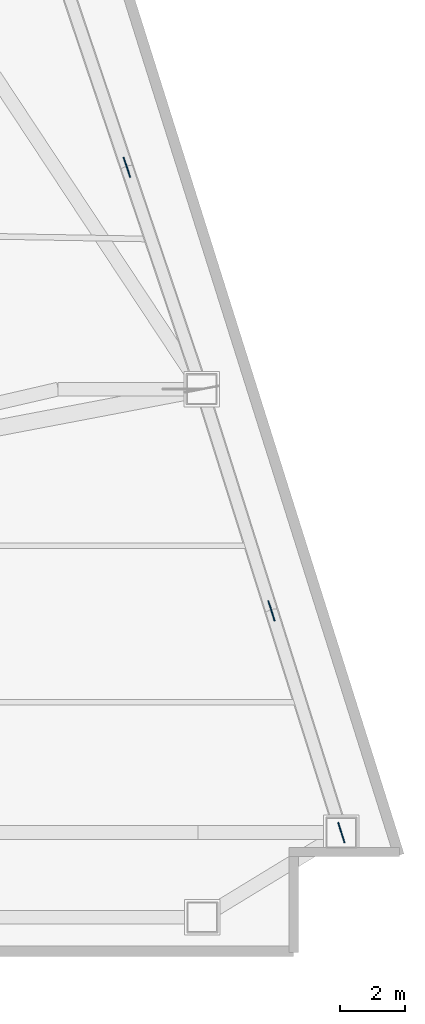
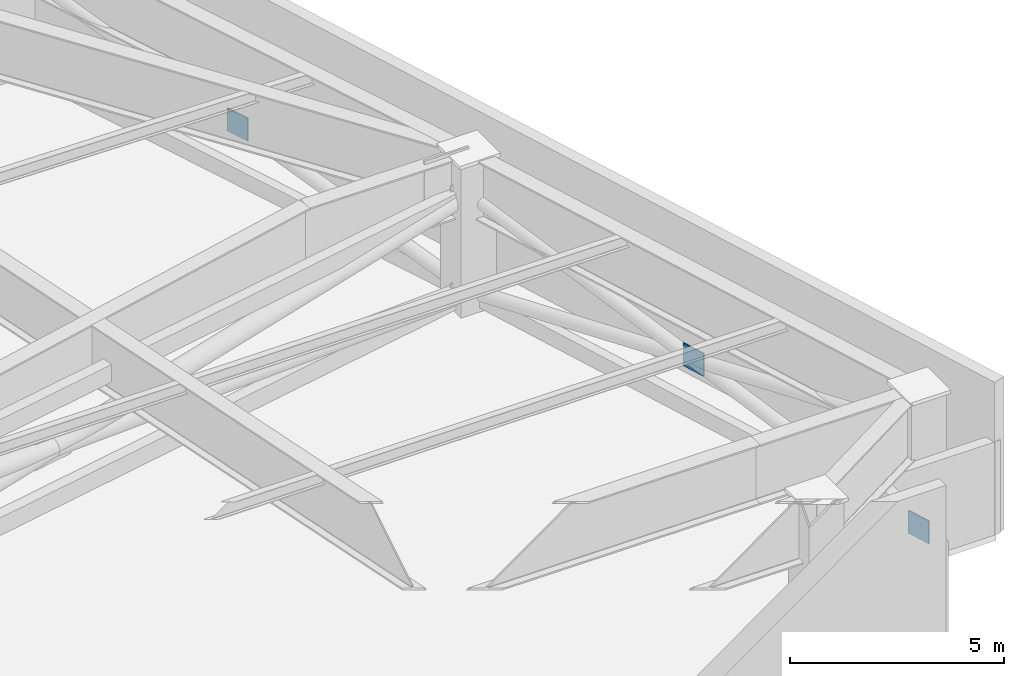
# One storey, part 12 of 18: 3 plates.
"""IFC4 building model written with IfcOpenShell, lengths in metres."""

from ifc_helpers import new_model, si_unit, direction, frame, origin, origin_2d, place, context, subcontext, project, spatial, rectangle, extrude, material, layer, layer_set, type_object, element, save


model = new_model("IFC4")

# Units and contexts
model_context = context("Model", 3, precision=1e-05, world=origin(), true_north=direction((0.0, 1.0)))
body_context = subcontext(model_context, "Body", "Model", "MODEL_VIEW")
ifc_project = project(units=[si_unit("LENGTHUNIT", "METRE"), si_unit("AREAUNIT", "SQUARE_METRE"), si_unit("VOLUMEUNIT", "CUBIC_METRE"), si_unit("PLANEANGLEUNIT", "RADIAN"), si_unit("MASSUNIT", "GRAM", prefix="KILO")], contexts=[model_context])

# Site, building, storey
site_placement = place(None, origin())
site = spatial("IfcSite", under=ifc_project, at=site_placement, CompositionType="ELEMENT")
building_placement = place(site_placement, origin())
building = spatial("IfcBuilding", under=site, at=building_placement, Name="Calvorn Quay Hotel", CompositionType="ELEMENT")
storey_placement = place(building_placement, frame((0.0, 0.0, 92.60009765625)))
storey = spatial("IfcBuildingStorey", under=building, at=storey_placement, Name="L22", CompositionType="ELEMENT", Elevation=92.60009765625)

# Plates
ifc_material = material(Name="Steel Q390GJC", Category="steel")
ifc_layer = layer(ifc_material, 0.035888671875)
ifc_layer_set = layer_set([ifc_layer], Name="PLT-GUSSET-36")
plate_type = type_object("IfcPlateType", Name="PLT-GUSSET-36", PredefinedType="SHEET", material=ifc_layer_set)
for number, where, z_axis, x_axis, name in (
    (1, (61.861083984375, 6.199951171875, 0.02490234375), (0.0, 0.0, 1.0), (-0.300539339916, 0.953769419285, 0.0), "Belt Truss Gusset Plate L22-BE1-A"),
    (2, (59.718017578125, 13.0, 1.425048828125), (0.0, 0.0, 1.0), (-0.300539339916, 0.953769419285, 0.0), "Belt Truss Gusset Plate L22-BE1-X"),
    (3, (55.283935546875, 26.60009765625, 1.425048828125), (0.0, 0.0, 1.0), (-0.319455515932, 0.947601273395, 0.0), "Belt Truss Gusset Plate L22-BE2-X"),
):
    element("IfcPlate", number, at=place(storey_placement, frame(where, z_axis=z_axis, x_axis=x_axis)), inside=storey, type_object=plate_type, Name=name, PredefinedType="SHEET", context=body_context, shape_type="SweptSolid", body=[
        extrude(rectangle(XDim=0.64990234375, YDim=0.035888671875, at=origin_2d()), origin(), (0.0, 0.0, 1.0), 0.64990234375),
    ])

save(model, "model.ifc")
